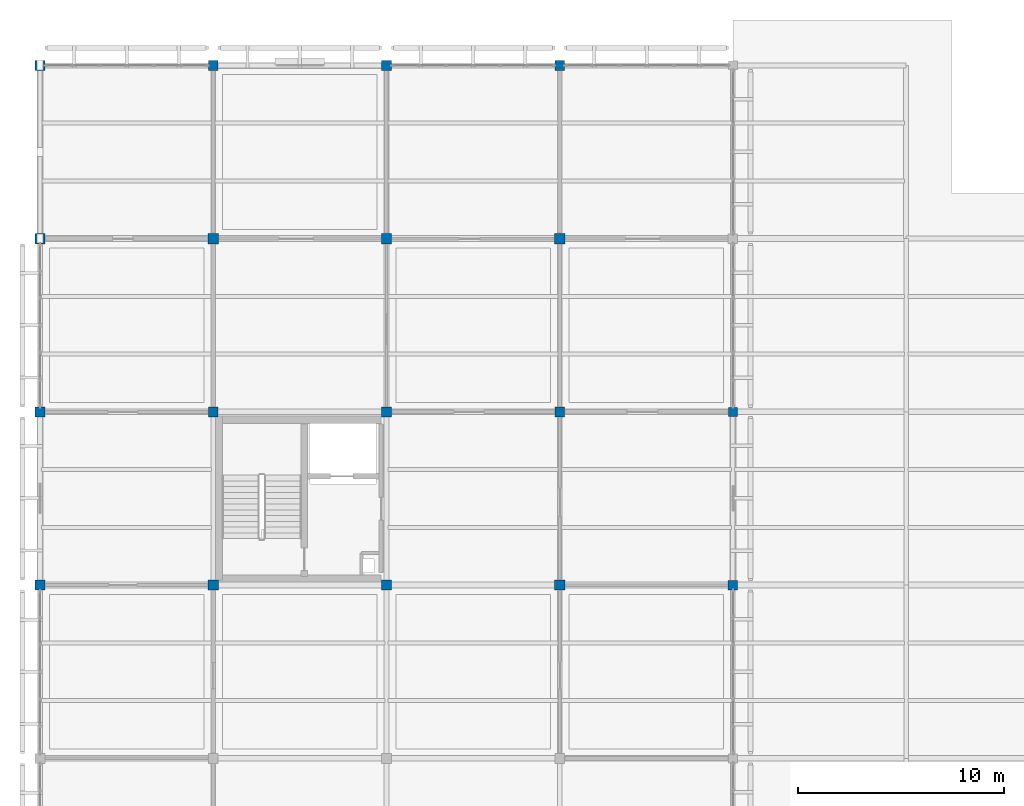
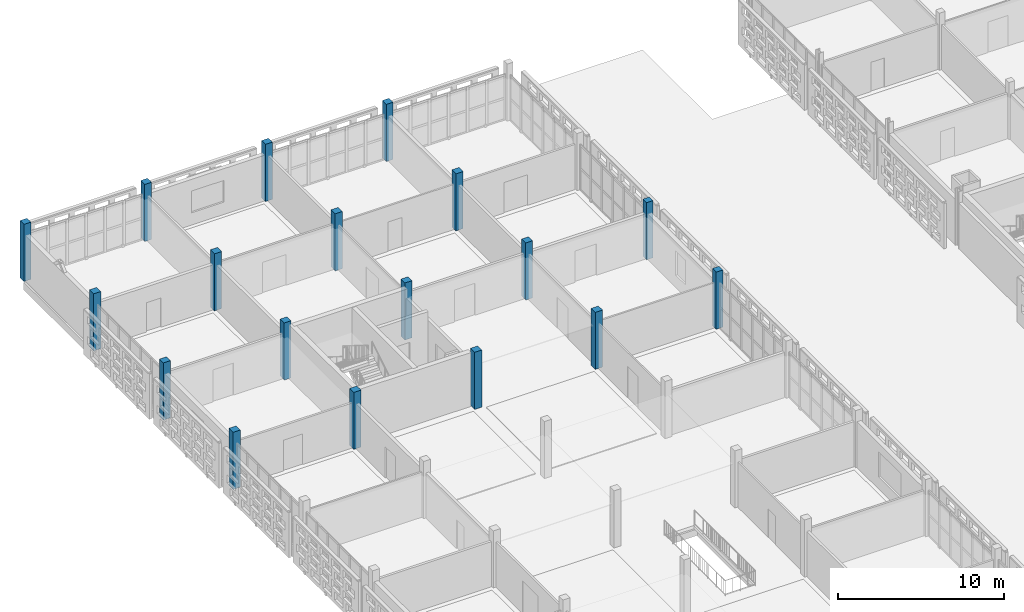
# One storey, part 5 of 166: 18 columns.
"""IFC4 building model written with IfcOpenShell, lengths in metres."""

from ifc_helpers import new_model, si_unit, direction, frame, origin, origin_2d, place, context, subcontext, project, spatial, rectangle, extrude, material, material_profile, profile_set, type_object, element, save


model = new_model("IFC4")

# Units and contexts
model_context = context("Model", 3, precision=1e-05, world=origin(), true_north=direction((0.0, 1.0)))
body_context = subcontext(model_context, "Body", "Model", "MODEL_VIEW")
ifc_project = project(units=[si_unit("LENGTHUNIT", "METRE"), si_unit("AREAUNIT", "SQUARE_METRE"), si_unit("VOLUMEUNIT", "CUBIC_METRE"), si_unit("PLANEANGLEUNIT", "RADIAN"), si_unit("MASSUNIT", "GRAM", prefix="KILO")], contexts=[model_context])

# Site, building, storey
site_placement = place(None, origin())
site = spatial("IfcSite", under=ifc_project, at=site_placement, CompositionType="ELEMENT")
building_placement = place(site_placement, origin())
building = spatial("IfcBuilding", under=site, at=building_placement, Name="Varnapada Polytechnic", CompositionType="ELEMENT")
storey_placement = place(building_placement, frame((0.0, 0.0, 9.60009765625)))
storey = spatial("IfcBuildingStorey", under=building, at=storey_placement, Name="L02", CompositionType="ELEMENT", Elevation=9.60009765625)

# Columns
ifc_material = material(Name="Glulam GL32h", Category="wood")
ifc_material_profile_1 = material_profile(ifc_material, rectangle(XDim=0.4599609375, YDim=0.4599609375, at=origin_2d()), Name="GL 460x460")
ifc_profile_set_1 = profile_set([ifc_material_profile_1], Name="Glulam GL32h")
column_type_1 = type_object("IfcColumnType", Name="Column C-12 (GL 460x460)", PredefinedType="COLUMN", material=ifc_profile_set_1)
column_1_placement = place(storey_placement, frame((33.60009765625, 100.800048828125, 0.0), z_axis=(0.0, 0.0, 1.0), x_axis=(1.0, 0.0, 0.0)))
element("IfcColumn", 1, at=column_1_placement, inside=storey, type_object=column_type_1, Name="L02 column 5/13", PredefinedType="COLUMN", context=body_context, shape_type="SweptSolid", body=[
    extrude(rectangle(XDim=0.4599609375, YDim=0.4599609375, at=origin_2d()), origin(), (0.0, 0.0, 1.0), 4.199951171875),
])
ifc_material_profile_2 = material_profile(ifc_material, rectangle(XDim=0.5, YDim=0.5, at=origin_2d()), Name="GL 500x500")
ifc_profile_set_2 = profile_set([ifc_material_profile_2], Name="Glulam GL32h")
column_type_2 = type_object("IfcColumnType", Name="Column C-22 (GL 500x500)", PredefinedType="COLUMN", material=ifc_profile_set_2)
for number, where, z_axis, x_axis, name in (
    (2, (0.0, 100.800048828125, 0.0), (0.0, 0.0, 1.0), (1.0, 0.0, 0.0), "L02 column 1/13"),
    (3, (0.0, 117.60009765625, 0.0), (0.0, 0.0, 1.0), (1.0, 0.0, 0.0), "L02 column 1/15"),
    (4, (8.39990234375, 100.800048828125, 0.0), (0.0, 0.0, 1.0), (1.0, 0.0, 0.0), "L02 column 2/13"),
    (5, (8.39990234375, 117.60009765625, 0.0), (0.0, 0.0, 1.0), (1.0, 0.0, 0.0), "L02 column 2/15"),
    (6, (16.800048828125, 100.800048828125, 0.0), (0.0, 0.0, 1.0), (1.0, 0.0, 0.0), "L02 column 3/13"),
    (7, (16.800048828125, 117.60009765625, 0.0), (0.0, 0.0, 1.0), (1.0, 0.0, 0.0), "L02 column 3/15"),
    (8, (25.199951171875, 100.800048828125, 0.0), (0.0, 0.0, 1.0), (1.0, 0.0, 0.0), "L02 column 4/13"),
    (9, (25.199951171875, 117.60009765625, 0.0), (0.0, 0.0, 1.0), (1.0, 0.0, 0.0), "L02 column 4/15"),
):
    element("IfcColumn", number, at=place(storey_placement, frame(where, z_axis=z_axis, x_axis=x_axis)), inside=storey, type_object=column_type_2, Name=name, PredefinedType="COLUMN", context=body_context, shape_type="SweptSolid", body=[
        extrude(rectangle(XDim=0.5, YDim=0.5, at=origin_2d()), origin(), (0.0, 0.0, 1.0), 4.199951171875),
    ])
ifc_material_profile_3 = material_profile(ifc_material, rectangle(XDim=0.47998046875, YDim=0.47998046875, at=origin_2d()), Name="GL 480x480")
ifc_profile_set_3 = profile_set([ifc_material_profile_3], Name="Glulam GL32h")
column_type_3 = type_object("IfcColumnType", Name="Column C-25 (GL 480x480)", PredefinedType="COLUMN", material=ifc_profile_set_3)
for number, where, z_axis, x_axis, name in (
    (10, (0.0, 109.199951171875, 0.0), (0.0, 0.0, 1.0), (1.0, 0.0, 0.0), "L02 column 1/14"),
    (11, (0.0, 126.0, 0.0), (0.0, 0.0, 1.0), (1.0, 0.0, 0.0), "L02 column 1/16"),
    (12, (8.39990234375, 109.199951171875, 0.0), (0.0, 0.0, 1.0), (1.0, 0.0, 0.0), "L02 column 2/14"),
    (13, (8.39990234375, 126.0, 0.0), (0.0, 0.0, 1.0), (1.0, 0.0, 0.0), "L02 column 2/16"),
    (14, (16.800048828125, 109.199951171875, 0.0), (0.0, 0.0, 1.0), (1.0, 0.0, 0.0), "L02 column 3/14"),
    (15, (16.800048828125, 126.0, 0.0), (0.0, 0.0, 1.0), (1.0, 0.0, 0.0), "L02 column 3/16"),
    (16, (25.199951171875, 109.199951171875, 0.0), (0.0, 0.0, 1.0), (1.0, 0.0, 0.0), "L02 column 4/14"),
    (17, (25.199951171875, 126.0, 0.0), (0.0, 0.0, 1.0), (1.0, 0.0, 0.0), "L02 column 4/16"),
):
    element("IfcColumn", number, at=place(storey_placement, frame(where, z_axis=z_axis, x_axis=x_axis)), inside=storey, type_object=column_type_3, Name=name, PredefinedType="COLUMN", context=body_context, shape_type="SweptSolid", body=[
        extrude(rectangle(XDim=0.47998046875, YDim=0.47998046875, at=origin_2d()), origin(), (0.0, 0.0, 1.0), 4.199951171875),
    ])
ifc_material_profile_4 = material_profile(ifc_material, rectangle(XDim=0.43994140625, YDim=0.43994140625, at=origin_2d()), Name="GL 440x440")
ifc_profile_set_4 = profile_set([ifc_material_profile_4], Name="Glulam GL32h")
column_type_4 = type_object("IfcColumnType", Name="Column C-26 (GL 440x440)", PredefinedType="COLUMN", material=ifc_profile_set_4)
column_2_placement = place(storey_placement, frame((33.60009765625, 109.199951171875, 0.0), z_axis=(0.0, 0.0, 1.0), x_axis=(1.0, 0.0, 0.0)))
element("IfcColumn", 18, at=column_2_placement, inside=storey, type_object=column_type_4, Name="L02 column 5/14", PredefinedType="COLUMN", context=body_context, shape_type="SweptSolid", body=[
    extrude(rectangle(XDim=0.43994140625, YDim=0.43994140625, at=origin_2d()), origin(), (0.0, 0.0, 1.0), 4.199951171875),
])

save(model, "model.ifc")
